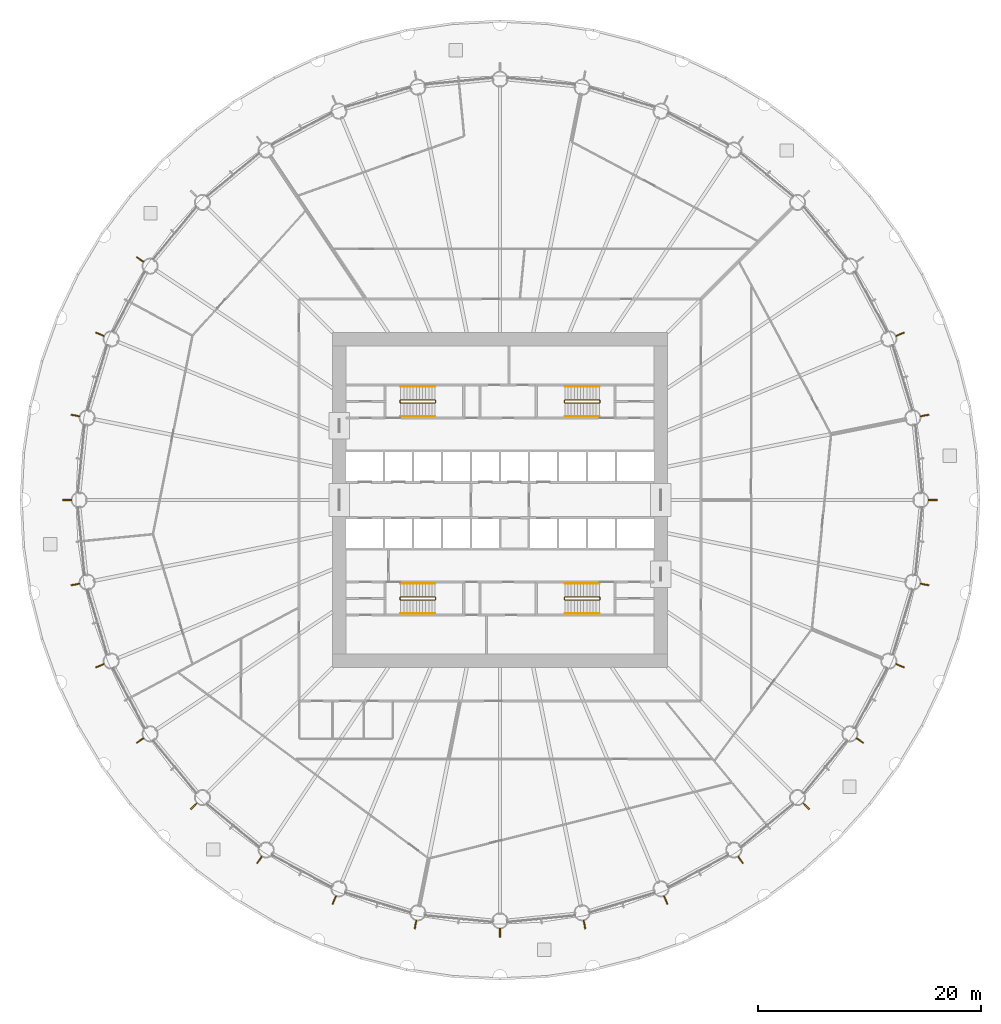
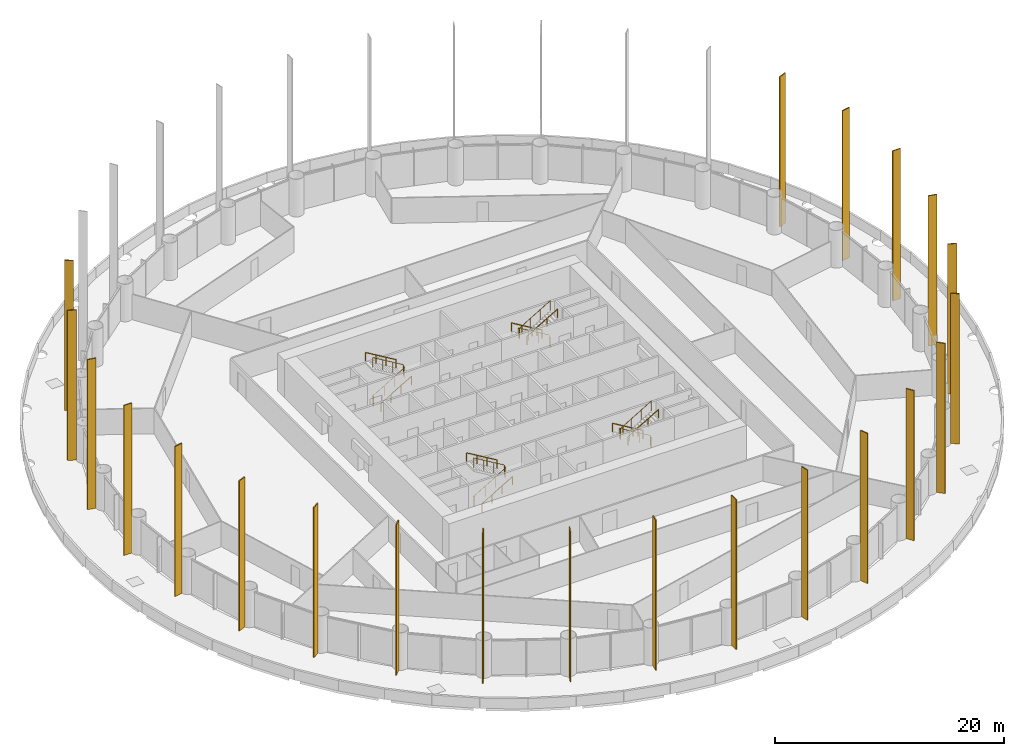
# One storey, part 16 of 17: 22 shading devices, 12 railings.
"""IFC4 building model written with IfcOpenShell, lengths in metres."""

from ifc_helpers import new_model, si_unit, direction, frame, origin, origin_2d, place, context, subcontext, project, spatial, rectangle, circle, extrude, material, material_profile, profile_set, type_object, element, save


model = new_model("IFC4")

# Units and contexts
model_context = context("Model", 3, precision=1e-05, world=origin(), true_north=direction((0.0, 1.0)))
body_context = subcontext(model_context, "Body", "Model", "MODEL_VIEW")
ifc_project = project(units=[si_unit("LENGTHUNIT", "METRE"), si_unit("AREAUNIT", "SQUARE_METRE"), si_unit("VOLUMEUNIT", "CUBIC_METRE"), si_unit("PLANEANGLEUNIT", "RADIAN"), si_unit("MASSUNIT", "GRAM", prefix="KILO")], contexts=[model_context])

# Site, building, storey
site_placement = place(None, origin())
site = spatial("IfcSite", under=ifc_project, at=site_placement, CompositionType="ELEMENT")
building_placement = place(site_placement, origin())
building = spatial("IfcBuilding", under=site, at=building_placement, Name="Corvane Civic Tower", CompositionType="ELEMENT")
storey_placement = place(building_placement, frame((0.0, 0.0, 37.0)))
storey = spatial("IfcBuildingStorey", under=building, at=storey_placement, Name="L07", CompositionType="ELEMENT", Elevation=37.0)

# Railings
ifc_material_1 = material(Name="Steel ASTM A572 Gr 50", Category="steel")
railing_type_1 = type_object("IfcRailingType", Name="ST-GUARD-1100", PredefinedType="GUARDRAIL", material=ifc_material_1)
railing_1_placement = place(storey_placement, frame((8.949951171875, 8.75, 0.0)))
element("IfcRailing", 1, at=railing_1_placement, inside=storey, type_object=railing_type_1, Name="L07 ST1 stair guard 1", PredefinedType="GUARDRAIL", context=body_context, shape_type="SweptSolid", body=[
    extrude(circle(Radius=0.02392578125, at=origin_2d()), frame((0.0, 0.0, 1.076171875), z_axis=(0.0, 1.0, 0.0), x_axis=(-1.0, 0.0, 0.0)), (0.0, 0.0, 1.0), 0.14990234375),
    extrude(circle(Radius=0.02392578125, at=origin_2d()), frame((0.0, 0.14990234375, 1.076171875), z_axis=(-0.27628659633, 0.27628659633, 0.920506074601), x_axis=(-0.707106781187, -0.707106781187, 0.0)), (0.0, 0.0, 1.0), 0.18115234375),
    extrude(circle(Radius=0.02392578125, at=origin_2d()), frame((-0.050048828125, 0.199951171875, 1.24267578125), z_axis=(-0.859290745958, 0.0, 0.51148745235), x_axis=(0.0, -1.0, 0.0)), (0.0, 0.0, 1.0), 3.584228515625),
    extrude(circle(Radius=0.02392578125, at=origin_2d()), frame((-3.1298828125, 0.199951171875, 3.076171875), z_axis=(-0.707106781187, -0.707106781187, 0.0), x_axis=(0.707106781187, -0.707106781187, 0.0)), (0.0, 0.0, 1.0), 0.07080078125),
    extrude(circle(Radius=0.02392578125, at=origin_2d()), frame((-3.179931640625, 0.14990234375, 3.076171875), z_axis=(0.0, -1.0, 0.0), x_axis=(1.0, 0.0, 0.0)), (0.0, 0.0, 1.0), 0.14990234375),
    extrude(circle(Radius=0.02392578125, at=origin_2d()), frame((-3.179931640625, 0.0, 3.076171875), z_axis=(0.27628659633, -0.27628659633, 0.920506074601), x_axis=(0.707106781187, 0.707106781187, 0.0)), (0.0, 0.0, 1.0), 0.18115234375),
    extrude(circle(Radius=0.02392578125, at=origin_2d()), frame((-3.1298828125, -0.050048828125, 3.24267578125), z_axis=(0.859290745958, 0.0, 0.51148745235), x_axis=(0.0, 1.0, 0.0)), (0.0, 0.0, 1.0), 3.584228515625),
    extrude(circle(Radius=0.02099609375, at=origin_2d()), origin(), (0.0, 0.0, 1.0), 1.052001953125),
    extrude(circle(Radius=0.02099609375, at=origin_2d()), frame((0.0, 0.14990234375, 0.0)), (0.0, 0.0, 1.0), 1.052001953125),
    extrude(circle(Radius=0.02099609375, at=origin_2d()), frame((-0.050048828125, 0.199951171875, 0.166748046875)), (0.0, 0.0, 1.0), 1.052001953125),
    extrude(circle(Radius=0.02099609375, at=origin_2d()), frame((-1.07666015625, 0.199951171875, 0.77783203125)), (0.0, 0.0, 1.0), 1.052001953125),
    extrude(circle(Radius=0.02099609375, at=origin_2d()), frame((-2.103271484375, 0.199951171875, 1.388916015625)), (0.0, 0.0, 1.0), 1.052001953125),
    extrude(circle(Radius=0.02099609375, at=origin_2d()), frame((-3.1298828125, 0.199951171875, 2.0)), (0.0, 0.0, 1.0), 1.052001953125),
    extrude(circle(Radius=0.02099609375, at=origin_2d()), frame((-3.179931640625, 0.14990234375, 2.0)), (0.0, 0.0, 1.0), 1.052001953125),
    extrude(circle(Radius=0.02099609375, at=origin_2d()), frame((-3.179931640625, 0.0, 2.0)), (0.0, 0.0, 1.0), 1.052001953125),
    extrude(circle(Radius=0.02099609375, at=origin_2d()), frame((-3.1298828125, -0.050048828125, 2.166748046875)), (0.0, 0.0, 1.0), 1.052001953125),
    extrude(circle(Radius=0.02099609375, at=origin_2d()), frame((-2.103271484375, -0.050048828125, 2.77783203125)), (0.0, 0.0, 1.0), 1.052001953125),
    extrude(circle(Radius=0.02099609375, at=origin_2d()), frame((-1.07666015625, -0.050048828125, 3.388916015625)), (0.0, 0.0, 1.0), 1.052001953125),
    extrude(circle(Radius=0.02099609375, at=origin_2d()), frame((-0.050048828125, -0.050048828125, 4.0)), (0.0, 0.0, 1.0), 1.052001953125),
])
railing_2_placement = place(storey_placement, frame((8.949951171875, -8.89990234375, 0.0)))
element("IfcRailing", 2, at=railing_2_placement, inside=storey, type_object=railing_type_1, Name="L07 ST2 stair guard 1", PredefinedType="GUARDRAIL", context=body_context, shape_type="SweptSolid", body=[
    extrude(circle(Radius=0.02392578125, at=origin_2d()), frame((0.0, 0.0, 1.076171875), z_axis=(0.0, 1.0, 0.0), x_axis=(-1.0, 0.0, 0.0)), (0.0, 0.0, 1.0), 0.14990234375),
    extrude(circle(Radius=0.02392578125, at=origin_2d()), frame((0.0, 0.14990234375, 1.076171875), z_axis=(-0.27628659633, 0.27628659633, 0.920506074601), x_axis=(-0.707106781187, -0.707106781187, 0.0)), (0.0, 0.0, 1.0), 0.18115234375),
    extrude(circle(Radius=0.02392578125, at=origin_2d()), frame((-0.050048828125, 0.199951171875, 1.24267578125), z_axis=(-0.859290745958, 0.0, 0.51148745235), x_axis=(0.0, -1.0, 0.0)), (0.0, 0.0, 1.0), 3.584228515625),
    extrude(circle(Radius=0.02392578125, at=origin_2d()), frame((-3.1298828125, 0.199951171875, 3.076171875), z_axis=(-0.707106781187, -0.707106781187, 0.0), x_axis=(0.707106781187, -0.707106781187, 0.0)), (0.0, 0.0, 1.0), 0.07080078125),
    extrude(circle(Radius=0.02392578125, at=origin_2d()), frame((-3.179931640625, 0.14990234375, 3.076171875), z_axis=(0.0, -1.0, 0.0), x_axis=(1.0, 0.0, 0.0)), (0.0, 0.0, 1.0), 0.14990234375),
    extrude(circle(Radius=0.02392578125, at=origin_2d()), frame((-3.179931640625, 0.0, 3.076171875), z_axis=(0.27628659633, -0.27628659633, 0.920506074601), x_axis=(0.707106781187, 0.707106781187, 0.0)), (0.0, 0.0, 1.0), 0.18115234375),
    extrude(circle(Radius=0.02392578125, at=origin_2d()), frame((-3.1298828125, -0.050048828125, 3.24267578125), z_axis=(0.859290745958, 0.0, 0.51148745235), x_axis=(0.0, 1.0, 0.0)), (0.0, 0.0, 1.0), 3.584228515625),
    extrude(circle(Radius=0.02099609375, at=origin_2d()), origin(), (0.0, 0.0, 1.0), 1.052001953125),
    extrude(circle(Radius=0.02099609375, at=origin_2d()), frame((0.0, 0.14990234375, 0.0)), (0.0, 0.0, 1.0), 1.052001953125),
    extrude(circle(Radius=0.02099609375, at=origin_2d()), frame((-0.050048828125, 0.199951171875, 0.166748046875)), (0.0, 0.0, 1.0), 1.052001953125),
    extrude(circle(Radius=0.02099609375, at=origin_2d()), frame((-1.07666015625, 0.199951171875, 0.77783203125)), (0.0, 0.0, 1.0), 1.052001953125),
    extrude(circle(Radius=0.02099609375, at=origin_2d()), frame((-2.103271484375, 0.199951171875, 1.388916015625)), (0.0, 0.0, 1.0), 1.052001953125),
    extrude(circle(Radius=0.02099609375, at=origin_2d()), frame((-3.1298828125, 0.199951171875, 2.0)), (0.0, 0.0, 1.0), 1.052001953125),
    extrude(circle(Radius=0.02099609375, at=origin_2d()), frame((-3.179931640625, 0.14990234375, 2.0)), (0.0, 0.0, 1.0), 1.052001953125),
    extrude(circle(Radius=0.02099609375, at=origin_2d()), frame((-3.179931640625, 0.0, 2.0)), (0.0, 0.0, 1.0), 1.052001953125),
    extrude(circle(Radius=0.02099609375, at=origin_2d()), frame((-3.1298828125, -0.050048828125, 2.166748046875)), (0.0, 0.0, 1.0), 1.052001953125),
    extrude(circle(Radius=0.02099609375, at=origin_2d()), frame((-2.103271484375, -0.050048828125, 2.77783203125)), (0.0, 0.0, 1.0), 1.052001953125),
    extrude(circle(Radius=0.02099609375, at=origin_2d()), frame((-1.07666015625, -0.050048828125, 3.388916015625)), (0.0, 0.0, 1.0), 1.052001953125),
    extrude(circle(Radius=0.02099609375, at=origin_2d()), frame((-0.050048828125, -0.050048828125, 4.0)), (0.0, 0.0, 1.0), 1.052001953125),
])
railing_3_placement = place(storey_placement, frame((-8.949951171875, -8.75, 0.0)))
element("IfcRailing", 3, at=railing_3_placement, inside=storey, type_object=railing_type_1, Name="L07 ST3 stair guard 1", PredefinedType="GUARDRAIL", context=body_context, shape_type="SweptSolid", body=[
    extrude(circle(Radius=0.02392578125, at=origin_2d()), frame((0.0, 0.0, 1.076171875), z_axis=(0.0, -1.0, 0.0), x_axis=(1.0, 0.0, 0.0)), (0.0, 0.0, 1.0), 0.14990234375),
    extrude(circle(Radius=0.02392578125, at=origin_2d()), frame((0.0, -0.14990234375, 1.076171875), z_axis=(0.27628659633, -0.27628659633, 0.920506074601), x_axis=(0.707106781187, 0.707106781187, 0.0)), (0.0, 0.0, 1.0), 0.18115234375),
    extrude(circle(Radius=0.02392578125, at=origin_2d()), frame((0.050048828125, -0.199951171875, 1.24267578125), z_axis=(0.859290745958, 0.0, 0.51148745235), x_axis=(0.0, 1.0, 0.0)), (0.0, 0.0, 1.0), 3.584228515625),
    extrude(circle(Radius=0.02392578125, at=origin_2d()), frame((3.1298828125, -0.199951171875, 3.076171875), z_axis=(0.707106781187, 0.707106781187, 0.0), x_axis=(-0.707106781187, 0.707106781187, 0.0)), (0.0, 0.0, 1.0), 0.07080078125),
    extrude(circle(Radius=0.02392578125, at=origin_2d()), frame((3.179931640625, -0.14990234375, 3.076171875), z_axis=(0.0, 1.0, 0.0), x_axis=(-1.0, 0.0, 0.0)), (0.0, 0.0, 1.0), 0.14990234375),
    extrude(circle(Radius=0.02392578125, at=origin_2d()), frame((3.179931640625, 0.0, 3.076171875), z_axis=(-0.27628659633, 0.27628659633, 0.920506074601), x_axis=(-0.707106781187, -0.707106781187, 0.0)), (0.0, 0.0, 1.0), 0.18115234375),
    extrude(circle(Radius=0.02392578125, at=origin_2d()), frame((3.1298828125, 0.050048828125, 3.24267578125), z_axis=(-0.859290745958, 0.0, 0.51148745235), x_axis=(0.0, -1.0, 0.0)), (0.0, 0.0, 1.0), 3.584228515625),
    extrude(circle(Radius=0.02099609375, at=origin_2d()), origin(), (0.0, 0.0, 1.0), 1.052001953125),
    extrude(circle(Radius=0.02099609375, at=origin_2d()), frame((0.0, -0.14990234375, 0.0)), (0.0, 0.0, 1.0), 1.052001953125),
    extrude(circle(Radius=0.02099609375, at=origin_2d()), frame((0.050048828125, -0.199951171875, 0.166748046875)), (0.0, 0.0, 1.0), 1.052001953125),
    extrude(circle(Radius=0.02099609375, at=origin_2d()), frame((1.07666015625, -0.199951171875, 0.77783203125)), (0.0, 0.0, 1.0), 1.052001953125),
    extrude(circle(Radius=0.02099609375, at=origin_2d()), frame((2.103271484375, -0.199951171875, 1.388916015625)), (0.0, 0.0, 1.0), 1.052001953125),
    extrude(circle(Radius=0.02099609375, at=origin_2d()), frame((3.1298828125, -0.199951171875, 2.0)), (0.0, 0.0, 1.0), 1.052001953125),
    extrude(circle(Radius=0.02099609375, at=origin_2d()), frame((3.179931640625, -0.14990234375, 2.0)), (0.0, 0.0, 1.0), 1.052001953125),
    extrude(circle(Radius=0.02099609375, at=origin_2d()), frame((3.179931640625, 0.0, 2.0)), (0.0, 0.0, 1.0), 1.052001953125),
    extrude(circle(Radius=0.02099609375, at=origin_2d()), frame((3.1298828125, 0.050048828125, 2.166748046875)), (0.0, 0.0, 1.0), 1.052001953125),
    extrude(circle(Radius=0.02099609375, at=origin_2d()), frame((2.103271484375, 0.050048828125, 2.77783203125)), (0.0, 0.0, 1.0), 1.052001953125),
    extrude(circle(Radius=0.02099609375, at=origin_2d()), frame((1.07666015625, 0.050048828125, 3.388916015625)), (0.0, 0.0, 1.0), 1.052001953125),
    extrude(circle(Radius=0.02099609375, at=origin_2d()), frame((0.050048828125, 0.050048828125, 4.0)), (0.0, 0.0, 1.0), 1.052001953125),
])
railing_4_placement = place(storey_placement, frame((-8.949951171875, 8.89990234375, 0.0)))
element("IfcRailing", 4, at=railing_4_placement, inside=storey, type_object=railing_type_1, Name="L07 ST4 stair guard 1", PredefinedType="GUARDRAIL", context=body_context, shape_type="SweptSolid", body=[
    extrude(circle(Radius=0.02392578125, at=origin_2d()), frame((0.0, 0.0, 1.076171875), z_axis=(0.0, -1.0, 0.0), x_axis=(1.0, 0.0, 0.0)), (0.0, 0.0, 1.0), 0.14990234375),
    extrude(circle(Radius=0.02392578125, at=origin_2d()), frame((0.0, -0.14990234375, 1.076171875), z_axis=(0.27628659633, -0.27628659633, 0.920506074601), x_axis=(0.707106781187, 0.707106781187, 0.0)), (0.0, 0.0, 1.0), 0.18115234375),
    extrude(circle(Radius=0.02392578125, at=origin_2d()), frame((0.050048828125, -0.199951171875, 1.24267578125), z_axis=(0.859290745958, 0.0, 0.51148745235), x_axis=(0.0, 1.0, 0.0)), (0.0, 0.0, 1.0), 3.584228515625),
    extrude(circle(Radius=0.02392578125, at=origin_2d()), frame((3.1298828125, -0.199951171875, 3.076171875), z_axis=(0.707106781187, 0.707106781187, 0.0), x_axis=(-0.707106781187, 0.707106781187, 0.0)), (0.0, 0.0, 1.0), 0.07080078125),
    extrude(circle(Radius=0.02392578125, at=origin_2d()), frame((3.179931640625, -0.14990234375, 3.076171875), z_axis=(0.0, 1.0, 0.0), x_axis=(-1.0, 0.0, 0.0)), (0.0, 0.0, 1.0), 0.14990234375),
    extrude(circle(Radius=0.02392578125, at=origin_2d()), frame((3.179931640625, 0.0, 3.076171875), z_axis=(-0.27628659633, 0.27628659633, 0.920506074601), x_axis=(-0.707106781187, -0.707106781187, 0.0)), (0.0, 0.0, 1.0), 0.18115234375),
    extrude(circle(Radius=0.02392578125, at=origin_2d()), frame((3.1298828125, 0.050048828125, 3.24267578125), z_axis=(-0.859290745958, 0.0, 0.51148745235), x_axis=(0.0, -1.0, 0.0)), (0.0, 0.0, 1.0), 3.584228515625),
    extrude(circle(Radius=0.02099609375, at=origin_2d()), origin(), (0.0, 0.0, 1.0), 1.052001953125),
    extrude(circle(Radius=0.02099609375, at=origin_2d()), frame((0.0, -0.14990234375, 0.0)), (0.0, 0.0, 1.0), 1.052001953125),
    extrude(circle(Radius=0.02099609375, at=origin_2d()), frame((0.050048828125, -0.199951171875, 0.166748046875)), (0.0, 0.0, 1.0), 1.052001953125),
    extrude(circle(Radius=0.02099609375, at=origin_2d()), frame((1.07666015625, -0.199951171875, 0.77783203125)), (0.0, 0.0, 1.0), 1.052001953125),
    extrude(circle(Radius=0.02099609375, at=origin_2d()), frame((2.103271484375, -0.199951171875, 1.388916015625)), (0.0, 0.0, 1.0), 1.052001953125),
    extrude(circle(Radius=0.02099609375, at=origin_2d()), frame((3.1298828125, -0.199951171875, 2.0)), (0.0, 0.0, 1.0), 1.052001953125),
    extrude(circle(Radius=0.02099609375, at=origin_2d()), frame((3.179931640625, -0.14990234375, 2.0)), (0.0, 0.0, 1.0), 1.052001953125),
    extrude(circle(Radius=0.02099609375, at=origin_2d()), frame((3.179931640625, 0.0, 2.0)), (0.0, 0.0, 1.0), 1.052001953125),
    extrude(circle(Radius=0.02099609375, at=origin_2d()), frame((3.1298828125, 0.050048828125, 2.166748046875)), (0.0, 0.0, 1.0), 1.052001953125),
    extrude(circle(Radius=0.02099609375, at=origin_2d()), frame((2.103271484375, 0.050048828125, 2.77783203125)), (0.0, 0.0, 1.0), 1.052001953125),
    extrude(circle(Radius=0.02099609375, at=origin_2d()), frame((1.07666015625, 0.050048828125, 3.388916015625)), (0.0, 0.0, 1.0), 1.052001953125),
    extrude(circle(Radius=0.02099609375, at=origin_2d()), frame((0.050048828125, 0.050048828125, 4.0)), (0.0, 0.0, 1.0), 1.052001953125),
])
ifc_material_2 = material(Name="Steel ASTM A572 Gr 50", Category="steel")
railing_type_2 = type_object("IfcRailingType", Name="ST-HANDRAIL-900", PredefinedType="HANDRAIL", material=ifc_material_2)
railing_5_placement = place(storey_placement, frame((8.89990234375, 10.14990234375, 0.166748046875)))
element("IfcRailing", 5, at=railing_5_placement, inside=storey, type_object=railing_type_2, Name="L07 ST1 stair handrail 1", PredefinedType="HANDRAIL", context=body_context, shape_type="SweptSolid", body=[
    extrude(circle(Radius=0.02392578125, at=origin_2d()), frame((0.0, 0.0, 0.8759765625), z_axis=(-0.859290745958, 0.0, 0.51148745235), x_axis=(0.0, -1.0, 0.0)), (0.0, 0.0, 1.0), 3.584228515625),
    extrude(circle(Radius=0.02099609375, at=origin_2d()), origin(), (0.0, 0.0, 1.0), 0.851806640625),
    extrude(circle(Radius=0.02099609375, at=origin_2d()), frame((-1.026611328125, 0.0, 0.611083984375)), (0.0, 0.0, 1.0), 0.851806640625),
    extrude(circle(Radius=0.02099609375, at=origin_2d()), frame((-2.05322265625, 0.0, 1.22216796875)), (0.0, 0.0, 1.0), 0.851806640625),
    extrude(circle(Radius=0.02099609375, at=origin_2d()), frame((-3.079833984375, 0.0, 1.833251953125)), (0.0, 0.0, 1.0), 0.851806640625),
])
railing_6_placement = place(storey_placement, frame((5.820068359375, 7.5, 2.166748046875)))
element("IfcRailing", 6, at=railing_6_placement, inside=storey, type_object=railing_type_2, Name="L07 ST1 stair handrail 2", PredefinedType="HANDRAIL", context=body_context, shape_type="SweptSolid", body=[
    extrude(circle(Radius=0.02392578125, at=origin_2d()), frame((0.0, 0.0, 0.8759765625), z_axis=(0.859290745958, 0.0, 0.51148745235), x_axis=(0.0, 1.0, 0.0)), (0.0, 0.0, 1.0), 3.584228515625),
    extrude(circle(Radius=0.02099609375, at=origin_2d()), origin(), (0.0, 0.0, 1.0), 0.851806640625),
    extrude(circle(Radius=0.02099609375, at=origin_2d()), frame((1.026611328125, 0.0, 0.611083984375)), (0.0, 0.0, 1.0), 0.851806640625),
    extrude(circle(Radius=0.02099609375, at=origin_2d()), frame((2.05322265625, 0.0, 1.22216796875)), (0.0, 0.0, 1.0), 0.851806640625),
    extrude(circle(Radius=0.02099609375, at=origin_2d()), frame((3.079833984375, 0.0, 1.833251953125)), (0.0, 0.0, 1.0), 0.851806640625),
])
railing_7_placement = place(storey_placement, frame((8.89990234375, -7.5, 0.166748046875)))
element("IfcRailing", 7, at=railing_7_placement, inside=storey, type_object=railing_type_2, Name="L07 ST2 stair handrail 1", PredefinedType="HANDRAIL", context=body_context, shape_type="SweptSolid", body=[
    extrude(circle(Radius=0.02392578125, at=origin_2d()), frame((0.0, 0.0, 0.8759765625), z_axis=(-0.859290745958, 0.0, 0.51148745235), x_axis=(0.0, -1.0, 0.0)), (0.0, 0.0, 1.0), 3.584228515625),
    extrude(circle(Radius=0.02099609375, at=origin_2d()), origin(), (0.0, 0.0, 1.0), 0.851806640625),
    extrude(circle(Radius=0.02099609375, at=origin_2d()), frame((-1.026611328125, 0.0, 0.611083984375)), (0.0, 0.0, 1.0), 0.851806640625),
    extrude(circle(Radius=0.02099609375, at=origin_2d()), frame((-2.05322265625, 0.0, 1.22216796875)), (0.0, 0.0, 1.0), 0.851806640625),
    extrude(circle(Radius=0.02099609375, at=origin_2d()), frame((-3.079833984375, 0.0, 1.833251953125)), (0.0, 0.0, 1.0), 0.851806640625),
])
for number, where, name in (
    (8, (5.820068359375, -10.14990234375, 2.166748046875), "L07 ST2 stair handrail 2"),
    (9, (-8.89990234375, -10.14990234375, 0.166748046875), "L07 ST3 stair handrail 1"),
):
    element("IfcRailing", number, at=place(storey_placement, frame(where)), inside=storey, type_object=railing_type_2, Name=name, PredefinedType="HANDRAIL", context=body_context, shape_type="SweptSolid", body=[
        extrude(circle(Radius=0.02392578125, at=origin_2d()), frame((0.0, 0.0, 0.8759765625), z_axis=(0.859290745958, 0.0, 0.51148745235), x_axis=(0.0, 1.0, 0.0)), (0.0, 0.0, 1.0), 3.584228515625),
        extrude(circle(Radius=0.02099609375, at=origin_2d()), origin(), (0.0, 0.0, 1.0), 0.851806640625),
        extrude(circle(Radius=0.02099609375, at=origin_2d()), frame((1.026611328125, 0.0, 0.611083984375)), (0.0, 0.0, 1.0), 0.851806640625),
        extrude(circle(Radius=0.02099609375, at=origin_2d()), frame((2.05322265625, 0.0, 1.22216796875)), (0.0, 0.0, 1.0), 0.851806640625),
        extrude(circle(Radius=0.02099609375, at=origin_2d()), frame((3.079833984375, 0.0, 1.833251953125)), (0.0, 0.0, 1.0), 0.851806640625),
    ])
railing_8_placement = place(storey_placement, frame((-5.820068359375, -7.5, 2.166748046875)))
element("IfcRailing", 10, at=railing_8_placement, inside=storey, type_object=railing_type_2, Name="L07 ST3 stair handrail 2", PredefinedType="HANDRAIL", context=body_context, shape_type="SweptSolid", body=[
    extrude(circle(Radius=0.02392578125, at=origin_2d()), frame((0.0, 0.0, 0.8759765625), z_axis=(-0.859290745958, 0.0, 0.51148745235), x_axis=(0.0, -1.0, 0.0)), (0.0, 0.0, 1.0), 3.584228515625),
    extrude(circle(Radius=0.02099609375, at=origin_2d()), origin(), (0.0, 0.0, 1.0), 0.851806640625),
    extrude(circle(Radius=0.02099609375, at=origin_2d()), frame((-1.026611328125, 0.0, 0.611083984375)), (0.0, 0.0, 1.0), 0.851806640625),
    extrude(circle(Radius=0.02099609375, at=origin_2d()), frame((-2.05322265625, 0.0, 1.22216796875)), (0.0, 0.0, 1.0), 0.851806640625),
    extrude(circle(Radius=0.02099609375, at=origin_2d()), frame((-3.079833984375, 0.0, 1.833251953125)), (0.0, 0.0, 1.0), 0.851806640625),
])
railing_9_placement = place(storey_placement, frame((-8.89990234375, 7.5, 0.166748046875)))
element("IfcRailing", 11, at=railing_9_placement, inside=storey, type_object=railing_type_2, Name="L07 ST4 stair handrail 1", PredefinedType="HANDRAIL", context=body_context, shape_type="SweptSolid", body=[
    extrude(circle(Radius=0.02392578125, at=origin_2d()), frame((0.0, 0.0, 0.8759765625), z_axis=(0.859290745958, 0.0, 0.51148745235), x_axis=(0.0, 1.0, 0.0)), (0.0, 0.0, 1.0), 3.584228515625),
    extrude(circle(Radius=0.02099609375, at=origin_2d()), origin(), (0.0, 0.0, 1.0), 0.851806640625),
    extrude(circle(Radius=0.02099609375, at=origin_2d()), frame((1.026611328125, 0.0, 0.611083984375)), (0.0, 0.0, 1.0), 0.851806640625),
    extrude(circle(Radius=0.02099609375, at=origin_2d()), frame((2.05322265625, 0.0, 1.22216796875)), (0.0, 0.0, 1.0), 0.851806640625),
    extrude(circle(Radius=0.02099609375, at=origin_2d()), frame((3.079833984375, 0.0, 1.833251953125)), (0.0, 0.0, 1.0), 0.851806640625),
])
railing_10_placement = place(storey_placement, frame((-5.820068359375, 10.14990234375, 2.166748046875)))
element("IfcRailing", 12, at=railing_10_placement, inside=storey, type_object=railing_type_2, Name="L07 ST4 stair handrail 2", PredefinedType="HANDRAIL", context=body_context, shape_type="SweptSolid", body=[
    extrude(circle(Radius=0.02392578125, at=origin_2d()), frame((0.0, 0.0, 0.8759765625), z_axis=(-0.859290745958, 0.0, 0.51148745235), x_axis=(0.0, -1.0, 0.0)), (0.0, 0.0, 1.0), 3.584228515625),
    extrude(circle(Radius=0.02099609375, at=origin_2d()), origin(), (0.0, 0.0, 1.0), 0.851806640625),
    extrude(circle(Radius=0.02099609375, at=origin_2d()), frame((-1.026611328125, 0.0, 0.611083984375)), (0.0, 0.0, 1.0), 0.851806640625),
    extrude(circle(Radius=0.02099609375, at=origin_2d()), frame((-2.05322265625, 0.0, 1.22216796875)), (0.0, 0.0, 1.0), 0.851806640625),
    extrude(circle(Radius=0.02099609375, at=origin_2d()), frame((-3.079833984375, 0.0, 1.833251953125)), (0.0, 0.0, 1.0), 0.851806640625),
])

# Shading devices
ifc_material_3 = material(Name="Anodised aluminium bronze", Category="aluminium")
ifc_material_profile = material_profile(ifc_material_3, rectangle(XDim=0.10009765625, YDim=0.800048828125, at=origin_2d()), Name="TOWER FIN STACK 100x800 BRONZE")
ifc_profile_set = profile_set([ifc_material_profile], Name="Anodised aluminium bronze")
shading_device_type = type_object("IfcShadingDeviceType", Name="TOWER FIN STACK 100x800 BRONZE", PredefinedType="USERDEFINED", material=ifc_profile_set)
for number, where, z_axis, x_axis, name in (
    (13, (35.828125, 14.840576171875, 0.0), (0.0, 0.0, 1.0), (0.382683432365, -0.923879532511, 0.0), "Fin 07 L07 to L10"),
    (14, (38.034912109375, 7.565673828125, 0.0), (0.0, 0.0, 1.0), (0.195090322016, -0.980785280403, 0.0), "Fin 08 L07 to L10"),
    (15, (38.780029296875, 0.0, 0.0), (0.0, 0.0, 1.0), (0.0, -1.0, 0.0), "Fin 09 L07 to L10"),
    (16, (38.034912109375, -7.565673828125, 0.0), (0.0, 0.0, 1.0), (-0.195090322016, -0.980785280403, 0.0), "Fin 10 L07 to L10"),
    (17, (35.828125, -14.840576171875, 0.0), (0.0, 0.0, 1.0), (-0.382683432365, -0.923879532511, 0.0), "Fin 11 L07 to L10"),
    (18, (32.244384765625, -21.544921875, 0.0), (0.0, 0.0, 1.0), (-0.55557023302, -0.831469612303, 0.0), "Fin 12 L07 to L10"),
    (19, (27.421630859375, -27.421630859375, 0.0), (0.0, 0.0, 1.0), (-0.707106781187, -0.707106781187, 0.0), "Fin 13 L07 to L10"),
    (20, (21.544921875, -32.244384765625, 0.0), (0.0, 0.0, 1.0), (-0.831469612303, -0.55557023302, 0.0), "Fin 14 L07 to L10"),
    (21, (14.840576171875, -35.828125, 0.0), (0.0, 0.0, 1.0), (-0.923879532511, -0.382683432365, 0.0), "Fin 15 L07 to L10"),
    (22, (7.565673828125, -38.034912109375, 0.0), (0.0, 0.0, 1.0), (-0.980785280403, -0.195090322016, 0.0), "Fin 16 L07 to L10"),
    (23, (0.0, -38.780029296875, 0.0), (0.0, 0.0, 1.0), (-1.0, 0.0, 0.0), "Fin 17 L07 to L10"),
    (24, (-7.565673828125, -38.034912109375, 0.0), (0.0, 0.0, 1.0), (-0.980785280403, 0.195090322016, 0.0), "Fin 18 L07 to L10"),
    (25, (-14.840576171875, -35.828125, 0.0), (0.0, 0.0, 1.0), (-0.923879532511, 0.382683432365, 0.0), "Fin 19 L07 to L10"),
    (26, (-21.544921875, -32.244384765625, 0.0), (0.0, 0.0, 1.0), (-0.831469612303, 0.55557023302, 0.0), "Fin 20 L07 to L10"),
    (27, (-27.421630859375, -27.421630859375, 0.0), (0.0, 0.0, 1.0), (-0.707106781187, 0.707106781187, 0.0), "Fin 21 L07 to L10"),
    (28, (-32.244384765625, -21.544921875, 0.0), (0.0, 0.0, 1.0), (-0.55557023302, 0.831469612303, 0.0), "Fin 22 L07 to L10"),
    (29, (-35.828125, -14.840576171875, 0.0), (0.0, 0.0, 1.0), (-0.382683432365, 0.923879532511, 0.0), "Fin 23 L07 to L10"),
    (30, (-38.034912109375, -7.565673828125, 0.0), (0.0, 0.0, 1.0), (-0.195090322016, 0.980785280403, 0.0), "Fin 24 L07 to L10"),
    (31, (-38.780029296875, 0.0, 0.0), (0.0, 0.0, 1.0), (0.0, 1.0, 0.0), "Fin 25 L07 to L10"),
    (32, (-38.034912109375, 7.565673828125, 0.0), (0.0, 0.0, 1.0), (0.195090322016, 0.980785280403, 0.0), "Fin 26 L07 to L10"),
    (33, (-35.828125, 14.840576171875, 0.0), (0.0, 0.0, 1.0), (0.382683432365, 0.923879532511, 0.0), "Fin 27 L07 to L10"),
    (34, (-32.244384765625, 21.544921875, 0.0), (0.0, 0.0, 1.0), (0.55557023302, 0.831469612303, 0.0), "Fin 28 L07 to L10"),
):
    element("IfcShadingDevice", number, at=place(storey_placement, frame(where, z_axis=z_axis, x_axis=x_axis)), inside=storey, type_object=shading_device_type, Name=name, ObjectType="FIN", PredefinedType="USERDEFINED", context=body_context, shape_type="SweptSolid", body=[
        extrude(rectangle(XDim=0.10009765625, YDim=0.800048828125, at=origin_2d()), origin(), (0.0, 0.0, 1.0), 16.0),
    ])

save(model, "model.ifc")
